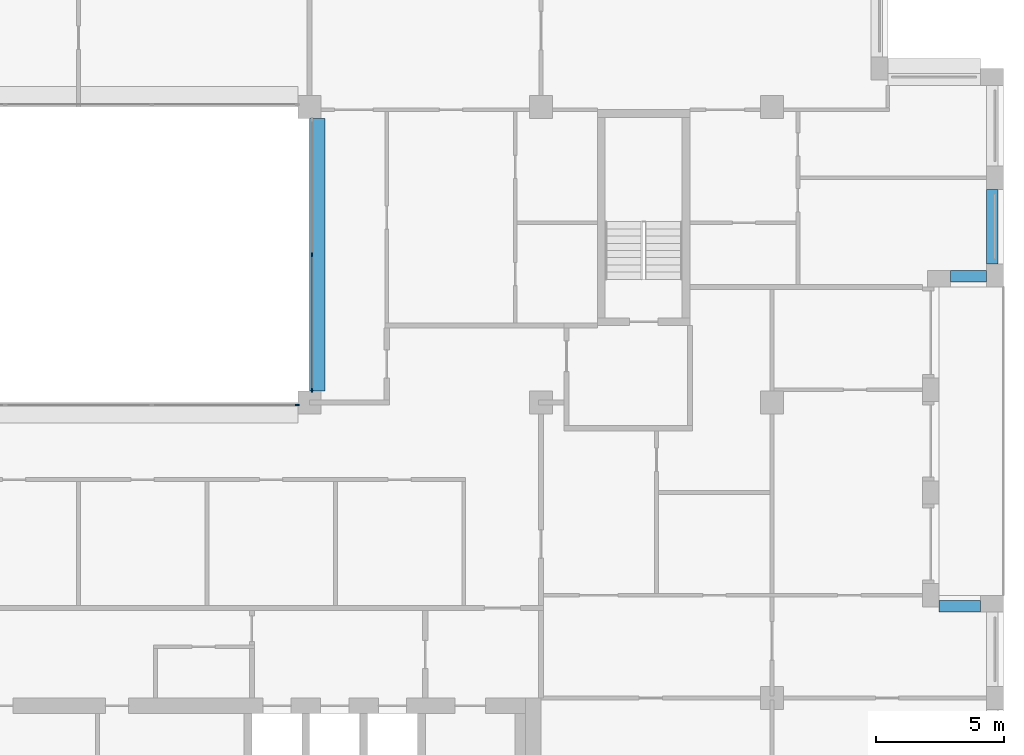
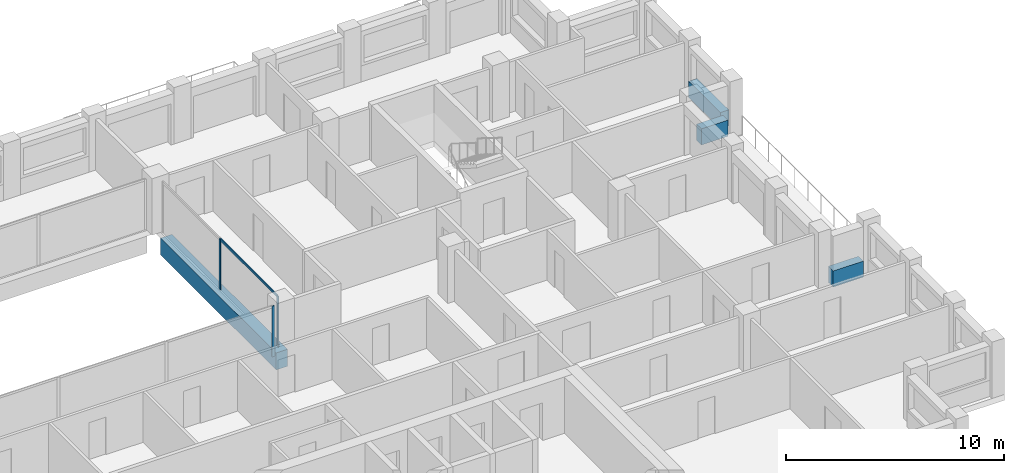
# One storey, part 4 of 15: 4 beams, 4 members, 2 elements without a shape of their own.
"""IFC4 building model written with IfcOpenShell, lengths in metres."""

from ifc_helpers import new_model, si_unit, direction, frame, origin, origin_2d, place, context, subcontext, project, spatial, rectangle, extrude, material, layer, layer_set, material_profile, profile_set, type_object, element, aggregate, save


model = new_model("IFC4")

# Units and contexts
model_context = context("Model", 3, precision=1e-05, world=origin(), true_north=direction((0.0, 1.0)))
body_context = subcontext(model_context, "Body", "Model", "MODEL_VIEW")
ifc_project = project(units=[si_unit("LENGTHUNIT", "METRE"), si_unit("AREAUNIT", "SQUARE_METRE"), si_unit("VOLUMEUNIT", "CUBIC_METRE"), si_unit("PLANEANGLEUNIT", "RADIAN"), si_unit("MASSUNIT", "GRAM", prefix="KILO")], contexts=[model_context])

# Site, building, storey
site_placement = place(None, origin())
site = spatial("IfcSite", under=ifc_project, at=site_placement, CompositionType="ELEMENT")
building_placement = place(site_placement, origin())
building = spatial("IfcBuilding", under=site, at=building_placement, Name="Brigalow Station Residences", CompositionType="ELEMENT")
storey_placement = place(building_placement, frame((0.0, 0.0, 213.75)))
storey = spatial("IfcBuildingStorey", under=building, at=storey_placement, Name="L61", CompositionType="ELEMENT", Elevation=213.75)

# Beam
ifc_material_1 = material(Name="Concrete C65", Category="concrete")
ifc_material_profile_1 = material_profile(ifc_material_1, rectangle(XDim=0.60009765625, YDim=0.949951171875, at=origin_2d()), Name="RC600x950")
ifc_profile_set_1 = profile_set([ifc_material_profile_1], Name="Concrete C65")
beam_type_1 = type_object("IfcBeamType", Name="ATRIUM EDGE GIRDER 600x950 C65", PredefinedType="BEAM", material=ifc_profile_set_1)
beam_1_placement = place(storey_placement, frame((45.300048828125, 24.449951171875, -0.794921875), z_axis=(0.0, 1.0, 0.0), x_axis=(-1.0, 0.0, 0.0)))
element("IfcBeam", 1, at=beam_1_placement, inside=storey, type_object=beam_type_1, Name="ATRIUM EDGE GIRDER 5 L61", PredefinedType="BEAM", context=body_context, shape_type="SweptSolid", body=[
    extrude(rectangle(XDim=0.60009765625, YDim=0.949951171875, at=origin_2d()), origin(), (0.0, 0.0, 1.0), 10.60009765625),
])

# Curtain wall, member
ifc_material_2 = material(Name="Aluminium", Category="aluminium")
ifc_layer = layer(ifc_material_2, 0.14990234375)
ifc_layer_set = layer_set([ifc_layer], Name="ATRIUM FIRE-RATED GLAZING CURTAIN WALL")
curtain_wall_type = type_object("IfcCurtainWallType", Name="ATRIUM FIRE-RATED GLAZING CURTAIN WALL", PredefinedType="NOTDEFINED", material=ifc_layer_set)
curtain_wall_1_placement = place(storey_placement, origin())
curtain_wall_1 = element("IfcCurtainWall", 2, at=curtain_wall_1_placement, inside=storey, type_object=curtain_wall_type, Name="L61/cw/atrium-S", PredefinedType="NOTDEFINED")
ifc_material_3 = material(Name="Aluminium", Category="aluminium")
ifc_material_profile_2 = material_profile(ifc_material_3, rectangle(XDim=0.06005859375, YDim=0.14990234375, at=origin_2d()), Name="ATRIUM FIRE-RATED GLAZING MULLION 60x150")
ifc_profile_set_2 = profile_set([ifc_material_profile_2], Name="Aluminium")
member_type_1 = type_object("IfcMemberType", Name="ATRIUM FIRE-RATED GLAZING MULLION 60x150", PredefinedType="MULLION", material=ifc_profile_set_2)
member_1_placement = place(storey_placement, frame((44.52001953125, 23.89990234375, 0.0), z_axis=(0.0, 0.0, 1.0), x_axis=(0.0, 1.0, 0.0)))
member_1 = element("IfcMember", 3, at=member_1_placement, type_object=member_type_1, Name="L61/cw/atrium-S/M03", PredefinedType="MULLION", context=body_context, shape_type="SweptSolid", body=[
    extrude(rectangle(XDim=0.06005859375, YDim=0.14990234375, at=origin_2d()), origin(), (0.0, 0.0, 1.0), 2.830078125),
])
aggregate(curtain_wall_1, [member_1])

# Curtain wall, members
curtain_wall_2_placement = place(storey_placement, origin())
curtain_wall_2 = element("IfcCurtainWall", 4, at=curtain_wall_2_placement, inside=storey, type_object=curtain_wall_type, Name="L61/cw/atrium-E", PredefinedType="NOTDEFINED")
member_2_placement = place(storey_placement, frame((45.10009765625, 24.47998046875, 0.0), z_axis=(0.0, 0.0, 1.0), x_axis=(-1.0, 0.0, 0.0)))
member_2 = element("IfcMember", 5, at=member_2_placement, type_object=member_type_1, Name="L61/cw/atrium-E/M00", PredefinedType="MULLION", context=body_context, shape_type="SweptSolid", body=[
    extrude(rectangle(XDim=0.06005859375, YDim=0.14990234375, at=origin_2d()), origin(), (0.0, 0.0, 1.0), 2.830078125),
])
member_3_placement = place(storey_placement, frame((45.10009765625, 29.75, 0.0), z_axis=(0.0, 0.0, 1.0), x_axis=(-1.0, 0.0, 0.0)))
member_3 = element("IfcMember", 6, at=member_3_placement, type_object=member_type_1, Name="L61/cw/atrium-E/M01", PredefinedType="MULLION", context=body_context, shape_type="SweptSolid", body=[
    extrude(rectangle(XDim=0.06005859375, YDim=0.14990234375, at=origin_2d()), origin(), (0.0, 0.0, 1.0), 2.830078125),
])
ifc_material_4 = material(Name="Aluminium", Category="aluminium")
ifc_material_profile_3 = material_profile(ifc_material_4, rectangle(XDim=0.06005859375, YDim=0.1201171875, at=origin_2d()), Name="ATRIUM FIRE-RATED GLAZING TRANSOM 60x120")
ifc_profile_set_3 = profile_set([ifc_material_profile_3], Name="Aluminium")
member_type_2 = type_object("IfcMemberType", Name="ATRIUM FIRE-RATED GLAZING TRANSOM 60x120", PredefinedType="USERDEFINED", material=ifc_profile_set_3)
member_4_placement = place(storey_placement, frame((45.10009765625, 24.510009765625, 2.800048828125), z_axis=(0.0, 1.0, 0.0), x_axis=(-1.0, 0.0, 0.0)))
member_4 = element("IfcMember", 7, at=member_4_placement, type_object=member_type_2, Name="L61/cw/atrium-E/T00-00", ObjectType="TRANSOM", PredefinedType="USERDEFINED", context=body_context, shape_type="SweptSolid", body=[
    extrude(rectangle(XDim=0.06005859375, YDim=0.1201171875, at=origin_2d()), origin(), (0.0, 0.0, 1.0), 5.2099609375),
])
aggregate(curtain_wall_2, [member_2, member_3, member_4])

# Beams
ifc_material_5 = material(Name="Concrete C50", Category="concrete")
ifc_material_profile_4 = material_profile(ifc_material_5, rectangle(XDim=0.449951171875, YDim=0.89990234375, at=origin_2d()), Name="RC450x900")
ifc_profile_set_4 = profile_set([ifc_material_profile_4], Name="Concrete C50")
beam_type_2 = type_object("IfcBeamType", Name="SPANDREL BEAM 450x900 C50", PredefinedType="SPANDREL", material=ifc_profile_set_4)
beam_2_placement = place(storey_placement, frame((71.10009765625, 16.074951171875, 0.449951171875), z_axis=(-1.0, 0.0, 0.0), x_axis=(0.0, -1.0, 0.0)))
element("IfcBeam", 8, at=beam_2_placement, inside=storey, type_object=beam_type_2, Name="L61/spandrel/W-L61-11", PredefinedType="SPANDREL", context=body_context, shape_type="SweptSolid", body=[
    extrude(rectangle(XDim=0.449951171875, YDim=0.89990234375, at=origin_2d()), origin(), (0.0, 0.0, 1.0), 1.60009765625),
])
beam_3_placement = place(storey_placement, frame((69.949951171875, 28.925048828125, 0.449951171875), z_axis=(1.0, 0.0, 0.0), x_axis=(0.0, 1.0, 0.0)))
element("IfcBeam", 9, at=beam_3_placement, inside=storey, type_object=beam_type_2, Name="L61/spandrel/W-L61-15", PredefinedType="SPANDREL", context=body_context, shape_type="SweptSolid", body=[
    extrude(rectangle(XDim=0.449951171875, YDim=0.89990234375, at=origin_2d()), origin(), (0.0, 0.0, 1.0), 1.400146484375),
])
beam_4_placement = place(storey_placement, frame((71.574951171875, 29.39990234375, 0.449951171875), z_axis=(0.0, 1.0, 0.0), x_axis=(-1.0, 0.0, 0.0)))
element("IfcBeam", 10, at=beam_4_placement, inside=storey, type_object=beam_type_2, Name="L61/spandrel/W-L61-16", PredefinedType="SPANDREL", context=body_context, shape_type="SweptSolid", body=[
    extrude(rectangle(XDim=0.449951171875, YDim=0.89990234375, at=origin_2d()), origin(), (0.0, 0.0, 1.0), 2.900146484375),
])

save(model, "model.ifc")
